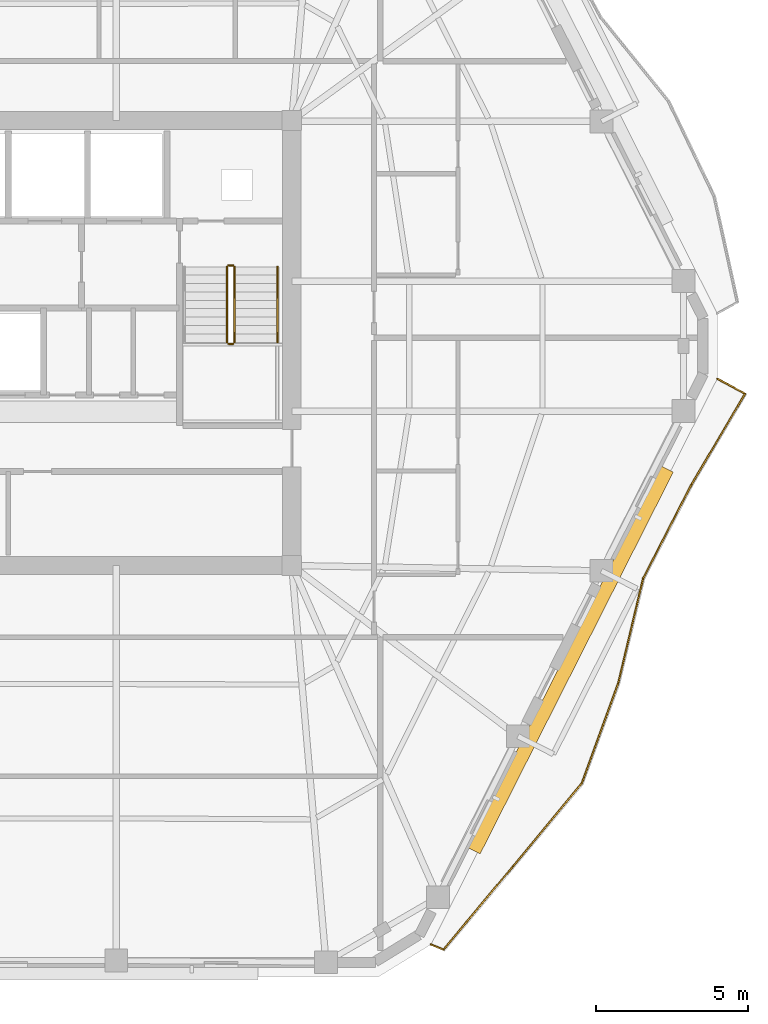
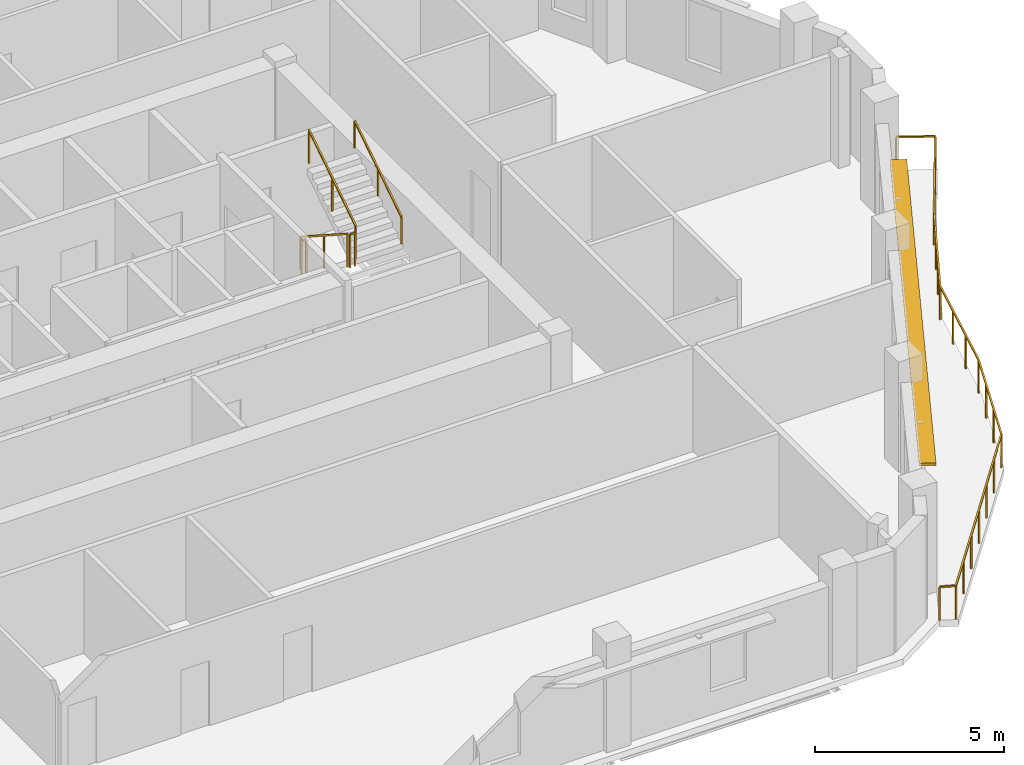
# One storey, part 10 of 11: 6 railings, 1 shading device.
"""IFC4 building model written with IfcOpenShell, lengths in metres."""

from ifc_helpers import new_model, si_unit, direction, frame, origin, origin_2d, place, context, subcontext, project, spatial, rectangle, extrude, material, layer, layer_set, type_object, element, save


model = new_model("IFC4")

# Units and contexts
model_context = context("Model", 3, precision=1e-05, world=origin(), true_north=direction((0.0, 1.0)))
body_context = subcontext(model_context, "Body", "Model", "MODEL_VIEW")
ifc_project = project(units=[si_unit("LENGTHUNIT", "METRE"), si_unit("AREAUNIT", "SQUARE_METRE"), si_unit("VOLUMEUNIT", "CUBIC_METRE"), si_unit("PLANEANGLEUNIT", "RADIAN"), si_unit("MASSUNIT", "GRAM", prefix="KILO")], contexts=[model_context])

# Site, building, storey
site_placement = place(None, origin())
site = spatial("IfcSite", under=ifc_project, at=site_placement, CompositionType="ELEMENT")
building_placement = place(site_placement, origin())
building = spatial("IfcBuilding", under=site, at=building_placement, Name="Cinnabar Lancet Tower", CompositionType="ELEMENT")
storey_placement = place(building_placement, frame((0.0, 0.0, 214.5)))
storey = spatial("IfcBuildingStorey", under=building, at=storey_placement, Name="L57", CompositionType="ELEMENT", Elevation=214.5)

# Railing
ifc_material_1 = material(Name="Laminated safety glass and bronze stainless steel balustrade", Category="steel")
railing_type_1 = type_object("IfcRailingType", Name="ENV-RLG-BAL-1100", PredefinedType="BALUSTRADE", material=ifc_material_1)
railing_1_placement = place(storey_placement, frame((46.27001953125, 6.1708984375, 0.0)))
element("IfcRailing", 1, at=railing_1_placement, inside=storey, type_object=railing_type_1, Name="L57 Face 2 Wave Balcony Balustrade", PredefinedType="BALUSTRADE", context=body_context, shape_type="SweptSolid", body=[
    extrude(rectangle(XDim=0.048095703125, YDim=0.048095703125, at=origin_2d()), frame((0.0, 0.0, 1.076171875), z_axis=(0.922928723059, -0.384970871824, 0.0), x_axis=(0.384970871824, 0.922928723059, 0.0)), (0.0, 0.0, 1.0), 0.43896484375),
    extrude(rectangle(XDim=0.048095703125, YDim=0.048095703125, at=origin_2d()), frame((0.405029296875, -0.1689453125, 1.076171875), z_axis=(0.640820315204, 0.767690903699, 0.0), x_axis=(-0.767690903699, 0.640820315204, 0.0)), (0.0, 0.0, 1.0), 3.54833984375),
    extrude(rectangle(XDim=0.048095703125, YDim=0.048095703125, at=origin_2d()), frame((2.678955078125, 2.55517578125, 1.076171875), z_axis=(0.638285091564, 0.769800066178, 0.0), x_axis=(-0.769800066178, 0.638285091564, 0.0)), (0.0, 0.0, 1.0), 3.543701171875),
    extrude(rectangle(XDim=0.048095703125, YDim=0.048095703125, at=origin_2d()), frame((4.94091796875, 5.283203125, 1.076171875), z_axis=(0.342671845725, 0.939455164522, 0.0), x_axis=(-0.939455164522, 0.342671845725, 0.0)), (0.0, 0.0, 1.0), 3.481689453125),
    extrude(rectangle(XDim=0.048095703125, YDim=0.048095703125, at=origin_2d()), frame((6.134033203125, 8.55419921875, 1.076171875), z_axis=(0.23114969263, 0.972918197793, 0.0), x_axis=(-0.972918197793, 0.23114969263, 0.0)), (0.0, 0.0, 1.0), 3.552001953125),
    extrude(rectangle(XDim=0.048095703125, YDim=0.048095703125, at=origin_2d()), frame((6.955078125, 12.010009765625, 1.076171875), z_axis=(0.458059785167, 0.888921387532, 0.0), x_axis=(-0.888921387532, 0.458059785167, 0.0)), (0.0, 0.0, 1.0), 3.455810546875),
    extrude(rectangle(XDim=0.048095703125, YDim=0.048095703125, at=origin_2d()), frame((8.5380859375, 15.08203125, 1.076171875), z_axis=(0.508100265862, 0.86129792745, 0.0), x_axis=(-0.86129792745, 0.508100265862, 0.0)), (0.0, 0.0, 1.0), 3.4658203125),
    extrude(rectangle(XDim=0.048095703125, YDim=0.048095703125, at=origin_2d()), frame((10.299072265625, 18.067138671875, 1.076171875), z_axis=(-0.88032714716, 0.474367066704, 0.0), x_axis=(-0.474367066704, -0.88032714716, 0.0)), (0.0, 0.0, 1.0), 1.034912109375),
    extrude(rectangle(XDim=0.0419921875, YDim=0.0419921875, at=origin_2d()), origin(), (0.0, 0.0, 1.0), 1.052001953125),
    extrude(rectangle(XDim=0.0419921875, YDim=0.0419921875, at=origin_2d()), frame((0.405029296875, -0.1689453125, 0.0)), (0.0, 0.0, 1.0), 1.052001953125),
    extrude(rectangle(XDim=0.0419921875, YDim=0.0419921875, at=origin_2d()), frame((1.1630859375, 0.739013671875, 0.0)), (0.0, 0.0, 1.0), 1.052001953125),
    extrude(rectangle(XDim=0.0419921875, YDim=0.0419921875, at=origin_2d()), frame((1.9208984375, 1.647216796875, 0.0)), (0.0, 0.0, 1.0), 1.052001953125),
    extrude(rectangle(XDim=0.0419921875, YDim=0.0419921875, at=origin_2d()), frame((2.678955078125, 2.55517578125, 0.0)), (0.0, 0.0, 1.0), 1.052001953125),
    extrude(rectangle(XDim=0.0419921875, YDim=0.0419921875, at=origin_2d()), frame((3.432861328125, 3.464599609375, 0.0)), (0.0, 0.0, 1.0), 1.052001953125),
    extrude(rectangle(XDim=0.0419921875, YDim=0.0419921875, at=origin_2d()), frame((4.18701171875, 4.373779296875, 0.0)), (0.0, 0.0, 1.0), 1.052001953125),
    extrude(rectangle(XDim=0.0419921875, YDim=0.0419921875, at=origin_2d()), frame((4.94091796875, 5.283203125, 0.0)), (0.0, 0.0, 1.0), 1.052001953125),
    extrude(rectangle(XDim=0.0419921875, YDim=0.0419921875, at=origin_2d()), frame((5.338623046875, 6.37353515625, 0.0)), (0.0, 0.0, 1.0), 1.052001953125),
    extrude(rectangle(XDim=0.0419921875, YDim=0.0419921875, at=origin_2d()), frame((5.736328125, 7.4638671875, 0.0)), (0.0, 0.0, 1.0), 1.052001953125),
    extrude(rectangle(XDim=0.0419921875, YDim=0.0419921875, at=origin_2d()), frame((6.134033203125, 8.55419921875, 0.0)), (0.0, 0.0, 1.0), 1.052001953125),
    extrude(rectangle(XDim=0.0419921875, YDim=0.0419921875, at=origin_2d()), frame((6.40771484375, 9.7060546875, 0.0)), (0.0, 0.0, 1.0), 1.052001953125),
    extrude(rectangle(XDim=0.0419921875, YDim=0.0419921875, at=origin_2d()), frame((6.681396484375, 10.858154296875, 0.0)), (0.0, 0.0, 1.0), 1.052001953125),
    extrude(rectangle(XDim=0.0419921875, YDim=0.0419921875, at=origin_2d()), frame((6.955078125, 12.010009765625, 0.0)), (0.0, 0.0, 1.0), 1.052001953125),
    extrude(rectangle(XDim=0.0419921875, YDim=0.0419921875, at=origin_2d()), frame((7.482666015625, 13.033935546875, 0.0)), (0.0, 0.0, 1.0), 1.052001953125),
    extrude(rectangle(XDim=0.0419921875, YDim=0.0419921875, at=origin_2d()), frame((8.010498046875, 14.05810546875, 0.0)), (0.0, 0.0, 1.0), 1.052001953125),
    extrude(rectangle(XDim=0.0419921875, YDim=0.0419921875, at=origin_2d()), frame((8.5380859375, 15.08203125, 0.0)), (0.0, 0.0, 1.0), 1.052001953125),
    extrude(rectangle(XDim=0.0419921875, YDim=0.0419921875, at=origin_2d()), frame((9.125, 16.0771484375, 0.0)), (0.0, 0.0, 1.0), 1.052001953125),
    extrude(rectangle(XDim=0.0419921875, YDim=0.0419921875, at=origin_2d()), frame((9.712158203125, 17.072021484375, 0.0)), (0.0, 0.0, 1.0), 1.052001953125),
    extrude(rectangle(XDim=0.0419921875, YDim=0.0419921875, at=origin_2d()), frame((10.299072265625, 18.067138671875, 0.0)), (0.0, 0.0, 1.0), 1.052001953125),
    extrude(rectangle(XDim=0.0419921875, YDim=0.0419921875, at=origin_2d()), frame((9.387939453125, 18.55810546875, 0.0)), (0.0, 0.0, 1.0), 1.052001953125),
])

# Shading device
ifc_material_2 = material(Name="Pale limestone architectural aluminium sunshade", Category="masonry")
ifc_layer = layer(ifc_material_2, 0.080078125)
ifc_layer_set = layer_set([ifc_layer], Name="Pale limestone architectural aluminium sunshade")
shading_device_type = type_object("IfcShadingDeviceType", Name="ENV-SHD-LVR-450", PredefinedType="JALOUSIE", material=ifc_layer_set)
shading_device_placement = place(storey_placement, frame((50.845947265625, 15.506103515625, 2.639892578125), z_axis=(0.0, 0.0, 1.0), x_axis=(0.45140713236, 0.892318105193, 0.0)))
element("IfcShadingDevice", 2, at=shading_device_placement, inside=storey, type_object=shading_device_type, Name="L57 Face 2 Horizontal Sunshade Canopy", PredefinedType="JALOUSIE", context=body_context, shape_type="SweptSolid", body=[
    extrude(rectangle(XDim=14.034912109375, YDim=0.449951171875, at=origin_2d()), origin(), (0.0, 0.0, 1.0), 0.080078125),
])

# Railings
ifc_material_3 = material(Name="Painted galvanized steel balustrade", Category="steel")
railing_type_2 = type_object("IfcRailingType", Name="GUARD-STAIR", PredefinedType="GUARDRAIL", material=ifc_material_3)
railing_2_placement = place(storey_placement, frame((39.574951171875, 28.39990234375, 0.177490234375)))
element("IfcRailing", 3, at=railing_2_placement, inside=storey, type_object=railing_type_2, Name="L57 ST-2 stair guard 1", PredefinedType="GUARDRAIL", context=body_context, shape_type="SweptSolid", body=[
    extrude(rectangle(XDim=0.048095703125, YDim=0.048095703125, at=origin_2d()), frame((0.0, 0.0, 1.076171875), z_axis=(0.0, -0.840183358697, 0.542302428327), x_axis=(1.0, 0.0, 0.0)), (0.0, 0.0, 1.0), 2.945556640625),
    extrude(rectangle(XDim=0.0419921875, YDim=0.0419921875, at=origin_2d()), origin(), (0.0, 0.0, 1.0), 1.052001953125),
    extrude(rectangle(XDim=0.0419921875, YDim=0.0419921875, at=origin_2d()), frame((0.0, -1.2373046875, 0.798828125)), (0.0, 0.0, 1.0), 1.052001953125),
    extrude(rectangle(XDim=0.0419921875, YDim=0.0419921875, at=origin_2d()), frame((0.0, -2.474853515625, 1.597412109375)), (0.0, 0.0, 1.0), 1.052001953125),
])
railing_3_placement = place(storey_placement, frame((39.625, 25.875, 1.77490234375)))
element("IfcRailing", 4, at=railing_3_placement, inside=storey, type_object=railing_type_2, Name="L57 ST-2 stair guard 2", PredefinedType="GUARDRAIL", context=body_context, shape_type="SweptSolid", body=[
    extrude(rectangle(XDim=0.048095703125, YDim=0.048095703125, at=origin_2d()), frame((0.0, 0.0, 1.076171875), z_axis=(1.0, 0.0, 0.0), x_axis=(0.0, 1.0, 0.0)), (0.0, 0.0, 1.0), 0.14990234375),
    extrude(rectangle(XDim=0.0419921875, YDim=0.0419921875, at=origin_2d()), origin(), (0.0, 0.0, 1.0), 1.052001953125),
    extrude(rectangle(XDim=0.0419921875, YDim=0.0419921875, at=origin_2d()), frame((0.14990234375, 0.0, 0.0)), (0.0, 0.0, 1.0), 1.052001953125),
])
railing_4_placement = place(storey_placement, frame((39.824951171875, 25.925048828125, 1.952392578125)))
element("IfcRailing", 5, at=railing_4_placement, inside=storey, type_object=railing_type_2, Name="L57 ST-2 stair guard 3", PredefinedType="GUARDRAIL", context=body_context, shape_type="SweptSolid", body=[
    extrude(rectangle(XDim=0.048095703125, YDim=0.048095703125, at=origin_2d()), frame((0.0, 0.0, 1.076171875), z_axis=(0.0, 0.84014559416, 0.542360932049), x_axis=(-1.0, 0.0, 0.0)), (0.0, 0.0, 1.0), 2.94580078125),
    extrude(rectangle(XDim=0.0419921875, YDim=0.0419921875, at=origin_2d()), origin(), (0.0, 0.0, 1.0), 1.052001953125),
    extrude(rectangle(XDim=0.0419921875, YDim=0.0419921875, at=origin_2d()), frame((0.0, 1.2373046875, 0.798828125)), (0.0, 0.0, 1.0), 1.052001953125),
    extrude(rectangle(XDim=0.0419921875, YDim=0.0419921875, at=origin_2d()), frame((0.0, 2.474853515625, 1.59765625)), (0.0, 0.0, 1.0), 1.052001953125),
])
railing_5_placement = place(storey_placement, frame((39.625, 28.449951171875, 0.0)))
element("IfcRailing", 6, at=railing_5_placement, inside=storey, type_object=railing_type_2, Name="L57 ST-2 stair guard 4", PredefinedType="GUARDRAIL", context=body_context, shape_type="SweptSolid", body=[
    extrude(rectangle(XDim=0.048095703125, YDim=0.048095703125, at=origin_2d()), frame((0.0, 0.0, 1.076171875), z_axis=(1.0, 0.0, 0.0), x_axis=(0.0, 1.0, 0.0)), (0.0, 0.0, 1.0), 0.14990234375),
    extrude(rectangle(XDim=0.0419921875, YDim=0.0419921875, at=origin_2d()), origin(), (0.0, 0.0, 1.0), 1.052001953125),
    extrude(rectangle(XDim=0.0419921875, YDim=0.0419921875, at=origin_2d()), frame((0.14990234375, 0.0, 0.0)), (0.0, 0.0, 1.0), 1.052001953125),
])
ifc_material_4 = material(Name="Brushed stainless steel handrail", Category="steel")
railing_type_3 = type_object("IfcRailingType", Name="HANDRAIL-STAIR", PredefinedType="HANDRAIL", material=ifc_material_4)
railing_6_placement = place(storey_placement, frame((41.22509765625, 25.925048828125, 1.952392578125)))
element("IfcRailing", 7, at=railing_6_placement, inside=storey, type_object=railing_type_3, Name="L57 ST-2 stair handrail 2", PredefinedType="HANDRAIL", context=body_context, shape_type="SweptSolid", body=[
    extrude(rectangle(XDim=0.048095703125, YDim=0.048095703125, at=origin_2d()), frame((0.0, 0.0, 0.8759765625), z_axis=(0.0, 0.84014559416, 0.542360932049), x_axis=(-1.0, 0.0, 0.0)), (0.0, 0.0, 1.0), 2.94580078125),
    extrude(rectangle(XDim=0.0419921875, YDim=0.0419921875, at=origin_2d()), origin(), (0.0, 0.0, 1.0), 0.851806640625),
    extrude(rectangle(XDim=0.0419921875, YDim=0.0419921875, at=origin_2d()), frame((0.0, 1.2373046875, 0.798828125)), (0.0, 0.0, 1.0), 0.851806640625),
    extrude(rectangle(XDim=0.0419921875, YDim=0.0419921875, at=origin_2d()), frame((0.0, 2.474853515625, 1.59765625)), (0.0, 0.0, 1.0), 0.851806640625),
])

save(model, "model.ifc")
